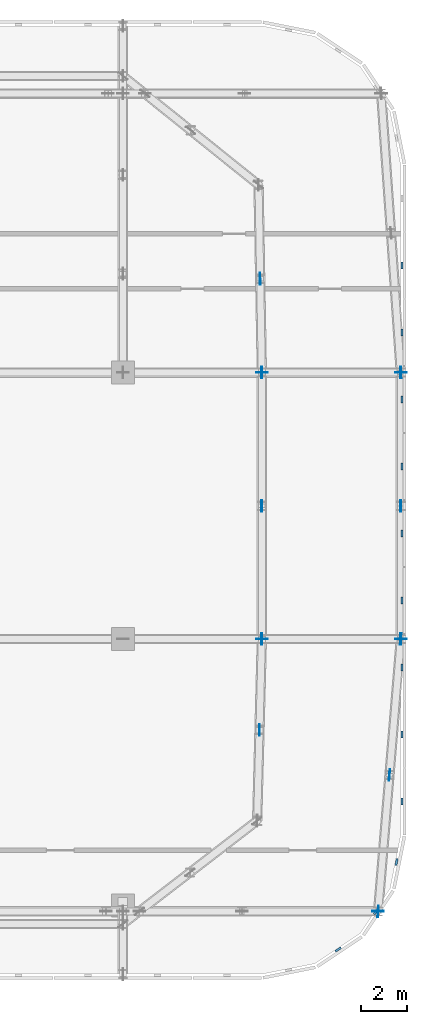
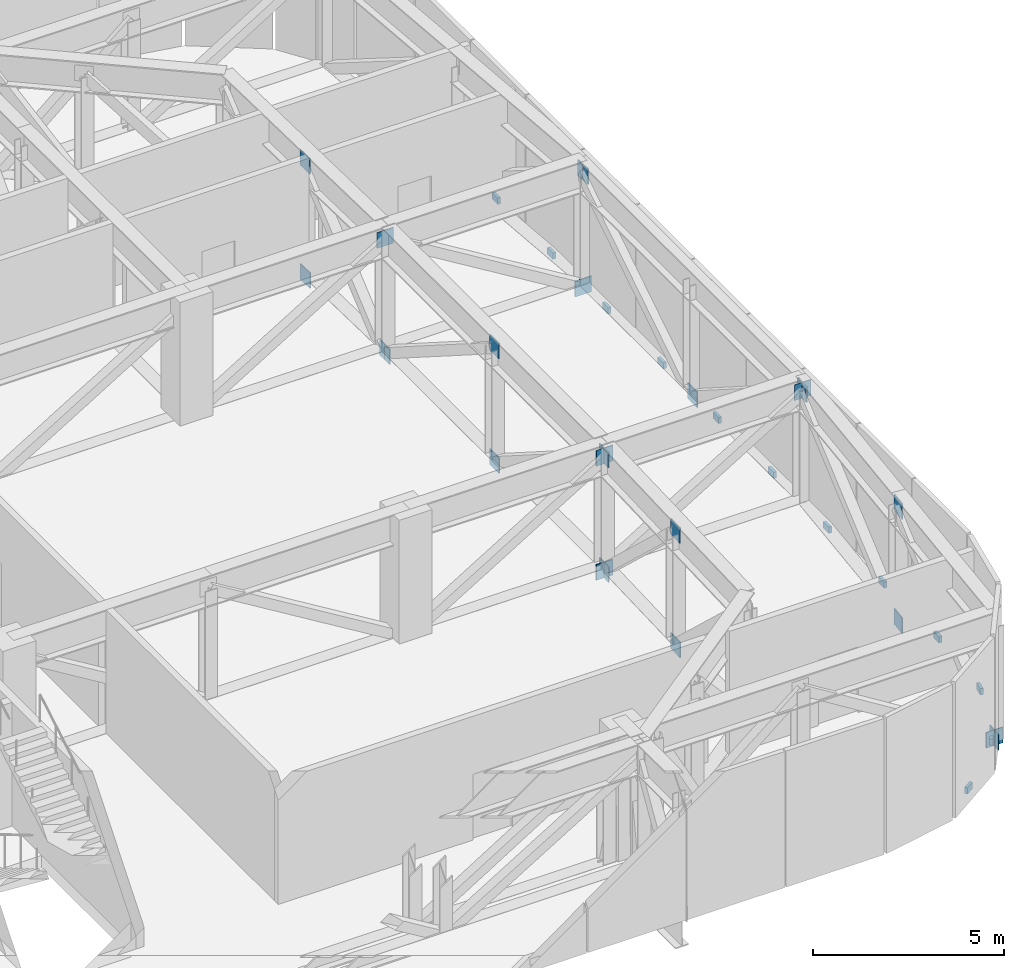
# One storey, part 22 of 29: 36 discrete accessories.
"""IFC4 building model written with IfcOpenShell, lengths in metres."""

import ifcopenshell
import ifcopenshell.guid

model = None  # the IFC model being written
_history = None  # IfcOwnerHistory: only IFC2X3 demands one
_inside = {}  # id of a spatial element -> (the spatial element, [elements in it])
_under = {}  # id of a project, library or spatial element -> (it, [spatial elements below it])
_declared = {}  # id of a project -> (the project, [libraries it declares])
_typed = {}  # id of a type object -> (the type object, [elements of that type])
_made_of = {}  # id of a material, layer set ... -> (it, [elements and type objects made of it])


def new_model(schema):
    """Start an empty IFC model of exactly this schema.

    Asked for "IFC4X3", IfcOpenShell would pick the latest addendum, in which some entities
    have other attributes; the version numbers below select the first issue.
    IFC2X3 requires an IfcOwnerHistory on every rooted entity: one is made here for all.
    """
    global model, _history
    if schema == "IFC4X3":
        model = ifcopenshell.file(schema_version=(4, 3, 0, 0))
    else:
        model = ifcopenshell.file(schema=schema)
    _inside.clear()
    _under.clear()
    _declared.clear()
    _typed.clear()
    _made_of.clear()
    _history = None
    if model.schema == "IFC2X3":
        org = make("IfcOrganization", Name="unknown")
        user = make(
            "IfcPersonAndOrganization",
            ThePerson=make("IfcPerson", FamilyName="unknown"),
            TheOrganization=org,
        )
        app = make(
            "IfcApplication",
            ApplicationDeveloper=org,
            Version="unknown",
            ApplicationFullName="unknown",
            ApplicationIdentifier="unknown",
        )
        _history = make(
            "IfcOwnerHistory",
            OwningUser=user,
            OwningApplication=app,
            ChangeAction="ADDED",
            CreationDate=0,
        )
    return model


def make(cls, **values):
    """One entity of the class cls with the attributes given. An attribute that is None is left unset."""
    return model.create_entity(
        cls, **{name: value for name, value in values.items() if value is not None}
    )


def rooted(cls, **values):
    """An entity with a GlobalId (a new one), such as an element, a storey or a relation."""
    return make(cls, GlobalId=ifcopenshell.guid.new(), OwnerHistory=_history, **values)


def si_unit(unit_type, name, prefix=None):
    """IfcSIUnit, for example si_unit("LENGTHUNIT", "METRE", prefix="MILLI")."""
    return make("IfcSIUnit", UnitType=unit_type, Prefix=prefix, Name=name)


def assignment(units):
    """IfcUnitAssignment: the units of a project."""
    return None if units is None else make("IfcUnitAssignment", Units=units)


def point(xyz):
    """IfcCartesianPoint."""
    return None if xyz is None else make("IfcCartesianPoint", Coordinates=xyz)


def direction(xyz):
    """IfcDirection."""
    return None if xyz is None else make("IfcDirection", DirectionRatios=xyz)


def frame(location, z_axis=None, x_axis=None):
    """IfcAxis2Placement3D, a coordinate frame: its origin and axes. An axis left out is left unset."""
    return make(
        "IfcAxis2Placement3D",
        Location=point(location),
        Axis=direction(z_axis),
        RefDirection=direction(x_axis),
    )


def frame_2d(location, x_axis=None):
    """IfcAxis2Placement2D, a coordinate frame in the plane: its origin and x axis."""
    return make(
        "IfcAxis2Placement2D", Location=point(location), RefDirection=direction(x_axis)
    )


def origin():
    """The frame at (0, 0, 0) with its axes left unset."""
    return frame((0.0, 0.0, 0.0))


def origin_2d():
    """The frame at (0, 0) in the plane with its x axis left unset."""
    return frame_2d((0.0, 0.0))


def place(relative_to, where):
    """IfcLocalPlacement: puts the frame where relative to a parent placement (None: the world)."""
    return make(
        "IfcLocalPlacement", PlacementRelTo=relative_to, RelativePlacement=where
    )


def context(
    kind, dimensions, precision=None, world=None, true_north=None, identifier=None
):
    """IfcGeometricRepresentationContext, for example the 3D "Model" context."""
    return make(
        "IfcGeometricRepresentationContext",
        ContextIdentifier=identifier,
        ContextType=kind,
        CoordinateSpaceDimension=dimensions,
        Precision=precision,
        WorldCoordinateSystem=world,
        TrueNorth=true_north,
    )


def subcontext(parent, identifier, kind, view, scale=None):
    """IfcGeometricRepresentationSubContext, for example "Body" below "Model"."""
    return make(
        "IfcGeometricRepresentationSubContext",
        ContextIdentifier=identifier,
        ContextType=kind,
        ParentContext=parent,
        TargetScale=scale,
        TargetView=view,
    )


def project(units=None, contexts=None):
    """IfcProject with its units and contexts."""
    return rooted(
        "IfcProject",
        Name="project",
        RepresentationContexts=contexts,
        UnitsInContext=assignment(units),
    )


def spatial(cls, under=None, at=None, **own):
    """A site, building, storey or space (cls), placed at a placement, below another one or the project."""
    s = rooted(cls, ObjectPlacement=at, **own)
    if under is not None:
        _under.setdefault(under.id(), (under, []))[1].append(s)
    return s


def profile(cls, at=None, kind="AREA", **sizes):
    """A parametric profile (cls). Its sizes go by their IFC names, for example OverallWidth=200.0."""
    return make(cls, ProfileType=kind, Position=at, **sizes)


def rectangle(**sizes):
    """IfcRectangleProfileDef."""
    return profile("IfcRectangleProfileDef", **sizes)


def extrude(swept, where, along, depth):
    """IfcExtrudedAreaSolid: the profile swept, set in the frame where, extruded along a direction by depth."""
    return make(
        "IfcExtrudedAreaSolid",
        SweptArea=swept,
        Position=where,
        ExtrudedDirection=direction(along),
        Depth=depth,
    )


def shape(context_of_items, identifier, shape_type, items):
    """IfcShapeRepresentation: the items that make up one representation, for example the "Body"."""
    return make(
        "IfcShapeRepresentation",
        ContextOfItems=context_of_items,
        RepresentationIdentifier=identifier,
        RepresentationType=shape_type,
        Items=items,
    )


def material(Name=None, Category=None):
    """IfcMaterial."""
    return make("IfcMaterial", Name=Name, Category=Category)


def layer(
    of_material, thickness, ventilated=None, Name=None, Category=None, Priority=None
):
    """IfcMaterialLayer: one layer of a wall or slab, of a material (None: an air gap)."""
    return make(
        "IfcMaterialLayer",
        Material=of_material,
        LayerThickness=thickness,
        IsVentilated=ventilated,
        Name=Name,
        Category=Category,
        Priority=Priority,
    )


def layer_set(layers, Name=None):
    """IfcMaterialLayerSet."""
    return make("IfcMaterialLayerSet", MaterialLayers=layers, LayerSetName=Name)


def made_of(thing, what):
    """Note that an element or type object is made of a material, layer set ...; save() writes the relation."""
    if what is not None:
        _made_of.setdefault(what.id(), (what, []))[1].append(thing)
    return thing


def type_object(cls, material=None, **own):
    """A type object (cls), such as IfcWallType, which elements share."""
    return made_of(rooted(cls, **own), material)


def element(
    cls,
    number,
    at=None,
    inside=None,
    cuts=None,
    type_object=None,
    material=None,
    context=None,
    identifier="Body",
    shape_type=None,
    held_by="IfcProductDefinitionShape",
    body=None,
    shapes=None,
    **own,
):
    """One element of the class cls, such as IfcWall. Its Tag is "e" and its number.

    at: its placement. inside: the storey or other place that contains it. cuts: it is an
    opening in that element (IfcRelVoidsElement). A single representation is given by context,
    identifier, shape_type and body (its items); several are given by shapes. held_by: the class
    of the entity that holds the representations. save() writes the other relations.
    """
    e = rooted(cls, Tag="e%d" % number, ObjectPlacement=at, **own)
    if body is not None:
        shapes = [shape(context, identifier, shape_type, body)]
    if shapes is not None:
        e.Representation = make(held_by, Representations=shapes)
    if inside is not None:
        _inside.setdefault(inside.id(), (inside, []))[1].append(e)
    if cuts is not None:
        rooted(
            "IfcRelVoidsElement", RelatingBuildingElement=cuts, RelatedOpeningElement=e
        )
    if type_object is not None:
        _typed.setdefault(type_object.id(), (type_object, []))[1].append(e)
    return made_of(e, material)


def aggregate(whole, parts):
    """IfcRelAggregates: a whole, such as a stair, and the parts it consists of."""
    return rooted("IfcRelAggregates", RelatingObject=whole, RelatedObjects=parts)


def save(model, path):
    """Write the relations noted so far, then the file.

    IfcRelAggregates (storeys below a building ...), IfcRelContainedInSpatialStructure (elements
    in a storey), IfcRelDefinesByType, IfcRelAssociatesMaterial and IfcRelDeclares: one each for
    every whole, place, type object, material and project.
    """
    for whole, parts in _under.values():
        aggregate(whole, parts)
    for where, things in _inside.values():
        rooted(
            "IfcRelContainedInSpatialStructure",
            RelatedElements=things,
            RelatingStructure=where,
        )
    for kind, things in _typed.values():
        rooted("IfcRelDefinesByType", RelatedObjects=things, RelatingType=kind)
    for what, things in _made_of.values():
        rooted("IfcRelAssociatesMaterial", RelatedObjects=things, RelatingMaterial=what)
    for by, libraries in _declared.values():
        rooted("IfcRelDeclares", RelatingContext=by, RelatedDefinitions=libraries)
    model.write(path)


model = new_model("IFC4")

# Units and contexts
model_context = context("Model", 3, precision=1e-05, world=origin(), true_north=direction((0.0, 1.0)))
body_context = subcontext(model_context, "Body", "Model", "MODEL_VIEW")
ifc_project = project(units=[si_unit("LENGTHUNIT", "METRE"), si_unit("AREAUNIT", "SQUARE_METRE"), si_unit("VOLUMEUNIT", "CUBIC_METRE"), si_unit("PLANEANGLEUNIT", "RADIAN"), si_unit("MASSUNIT", "GRAM", prefix="KILO")], contexts=[model_context])

# Site, building, storey
site_placement = place(None, origin())
site = spatial("IfcSite", under=ifc_project, at=site_placement, CompositionType="ELEMENT")
building_placement = place(site_placement, origin())
building = spatial("IfcBuilding", under=site, at=building_placement, Name="Mahtab Terrace Research Tower", CompositionType="ELEMENT")
storey_placement = place(building_placement, frame((0.0, 0.0, 259.0)))
storey = spatial("IfcBuildingStorey", under=building, at=storey_placement, Name="L63", CompositionType="ELEMENT", Elevation=259.0)

# Discrete accessories
ifc_material_1 = material(Name="Black anodised aluminium", Category="aluminium")
discrete_accessory_type_1 = type_object("IfcDiscreteAccessoryType", Name="Facade bracket", PredefinedType="BRACKET", material=ifc_material_1)
for number, where, z_axis, x_axis, name in (
    (1, (51.29443359375, -13.4033203125, -0.2998046875), (0.0, 0.0, 1.0), (0.831655794326, 0.555291490808, 0.0), "Louvre bracket L63 31"),
    (2, (52.930419921875, -11.767578125, -0.2998046875), (0.0, 0.0, 1.0), (0.555291490808, 0.831655794326, 0.0), "Louvre bracket L63 32"),
    (3, (53.815673828125, -9.6298828125, -0.2998046875), (0.0, 0.0, 1.0), (0.195212442692, 0.980760981187, 0.0), "Louvre bracket L63 33"),
    (4, (54.044921875, -7.025634765625, -0.2998046875), (0.0, 0.0, 1.0), (0.0, 1.0, 0.0), "Louvre bracket L63 34"),
    (5, (54.044921875, -4.131103515625, -0.2998046875), (0.0, 0.0, 1.0), (0.0, 1.0, 0.0), "Louvre bracket L63 35"),
    (6, (54.044921875, -1.236572265625, -0.2998046875), (0.0, 0.0, 1.0), (0.0, 1.0, 0.0), "Louvre bracket L63 36"),
    (7, (54.044921875, 1.658203125, -0.2998046875), (0.0, 0.0, 1.0), (0.0, 1.0, 0.0), "Louvre bracket L63 37"),
    (8, (54.044921875, 4.552734375, -0.2998046875), (0.0, 0.0, 1.0), (0.0, 1.0, 0.0), "Louvre bracket L63 38"),
    (9, (54.044921875, 7.447265625, -0.2998046875), (0.0, 0.0, 1.0), (0.0, 1.0, 0.0), "Louvre bracket L63 39"),
    (10, (54.044921875, 10.341796875, -0.2998046875), (0.0, 0.0, 1.0), (0.0, 1.0, 0.0), "Louvre bracket L63 40"),
    (11, (54.044921875, 13.236572265625, -0.2998046875), (0.0, 0.0, 1.0), (0.0, 1.0, 0.0), "Louvre bracket L63 41"),
    (12, (54.044921875, 16.131103515625, -0.2998046875), (0.0, 0.0, 1.0), (0.0, 1.0, 0.0), "Louvre bracket L63 42"),
):
    element("IfcDiscreteAccessory", number, at=place(storey_placement, frame(where, z_axis=z_axis, x_axis=x_axis)), inside=storey, type_object=discrete_accessory_type_1, Name=name, PredefinedType="BRACKET", context=body_context, shape_type="SweptSolid", body=[
        extrude(rectangle(XDim=0.300048828125, YDim=0.090087890625, at=origin_2d()), origin(), (0.0, 0.0, 1.0), 0.199951171875),
    ])
ifc_material_2 = material(Name="Steel ASTM A992 Gr 50", Category="steel")
ifc_layer = layer(ifc_material_2, 0.030029296875)
ifc_layer_set = layer_set([ifc_layer], Name="Gusset plate 500x500x30")
discrete_accessory_type_2 = type_object("IfcDiscreteAccessoryType", Name="Gusset plate 500x500x30", PredefinedType="USERDEFINED", material=ifc_layer_set)
for number, where, z_axis, x_axis, name in (
    (13, (48.0, 0.0, -0.44677734375), (0.0, 0.0, 1.0), (1.0, 0.0, 0.0), "Gusset plate"),
    (14, (48.0, 0.0, 3.209716796875), (0.0, 0.0, 1.0), (1.0, 0.0, 0.0), "Gusset plate"),
    (15, (48.0, 11.5, 3.209716796875), (0.0, 0.0, 1.0), (1.0, 0.0, 0.0), "Gusset plate"),
    (16, (53.02099609375, -11.758056640625, -0.44677734375), (0.0, 0.0, 1.0), (1.0, 0.0, 0.0), "Gusset plate"),
    (17, (54.0, 0.0, 3.209716796875), (0.0, 0.0, 1.0), (1.0, 0.0, 0.0), "Gusset plate"),
    (18, (54.0, 11.5, -0.44677734375), (0.0, 0.0, 1.0), (1.0, 0.0, 0.0), "Gusset plate"),
    (19, (53.02099609375, -11.758056640625, -0.44677734375), (0.0, 0.0, 1.0), (0.083051711927, 0.996545238886, 0.0), "Gusset plate"),
    (20, (53.510986328125, -5.87890625, -0.44677734375), (0.0, 0.0, 1.0), (0.082895173943, 0.996558272324, 0.0), "Gusset plate"),
    (21, (53.510986328125, -5.87890625, 3.209716796875), (0.0, 0.0, 1.0), (0.083051711927, 0.996545238886, 0.0), "Gusset plate"),
    (22, (54.0, 0.0, 3.209716796875), (0.0, 0.0, 1.0), (0.082895173943, 0.996558272324, 0.0), "Gusset plate"),
    (23, (47.89892578125, -3.924072265625, -0.44677734375), (0.0, 0.0, 1.0), (0.025723315524, 0.999669100772, 0.0), "Gusset plate"),
    (24, (47.89892578125, -3.924072265625, 3.209716796875), (0.0, 0.0, 1.0), (0.025723315524, 0.999669100772, 0.0), "Gusset plate"),
    (25, (48.0, 0.0, -0.44677734375), (0.0, 0.0, 1.0), (0.025723315524, 0.999669100772, 0.0), "Gusset plate"),
    (26, (48.0, 0.0, 3.209716796875), (0.0, 0.0, 1.0), (0.0, 1.0, 0.0), "Gusset plate"),
    (27, (48.0, 5.75, -0.44677734375), (0.0, 0.0, 1.0), (0.0, 1.0, 0.0), "Gusset plate"),
    (28, (48.0, 5.75, 3.209716796875), (0.0, 0.0, 1.0), (0.0, 1.0, 0.0), "Gusset plate"),
    (29, (48.0, 11.5, -0.44677734375), (0.0, 0.0, 1.0), (0.0, 1.0, 0.0), "Gusset plate"),
    (30, (54.0, 0.0, 3.209716796875), (0.0, 0.0, 1.0), (0.0, 1.0, 0.0), "Gusset plate"),
    (31, (54.0, 5.75, -0.44677734375), (0.0, 0.0, 1.0), (0.0, 1.0, 0.0), "Gusset plate"),
    (32, (54.0, 11.5, 3.209716796875), (0.0, 0.0, 1.0), (0.0, 1.0, 0.0), "Gusset plate"),
    (33, (47.927978515625, 15.552978515625, -0.44677734375), (0.0, 0.0, 1.0), (-0.017522208932, 0.999846474312, 0.0), "Gusset plate"),
    (34, (47.927978515625, 15.552978515625, 3.209716796875), (0.0, 0.0, 1.0), (-0.017766516988, 0.999842162981, 0.0), "Gusset plate"),
    (35, (48.0, 11.5, -0.44677734375), (0.0, 0.0, 1.0), (-0.017766516988, 0.999842162981, 0.0), "Gusset plate"),
    (36, (54.0, 11.5, 3.209716796875), (0.0, 0.0, 1.0), (-0.070052453881, 0.997543309188, 0.0), "Gusset plate"),
):
    element("IfcDiscreteAccessory", number, at=place(storey_placement, frame(where, z_axis=z_axis, x_axis=x_axis)), inside=storey, type_object=discrete_accessory_type_2, Name=name, ObjectType="GUSSET PLATE", PredefinedType="USERDEFINED", context=body_context, shape_type="SweptSolid", body=[
        extrude(rectangle(XDim=0.5, YDim=0.030029296875, at=origin_2d()), origin(), (0.0, 0.0, 1.0), 0.5),
    ])

save(model, "model.ifc")
